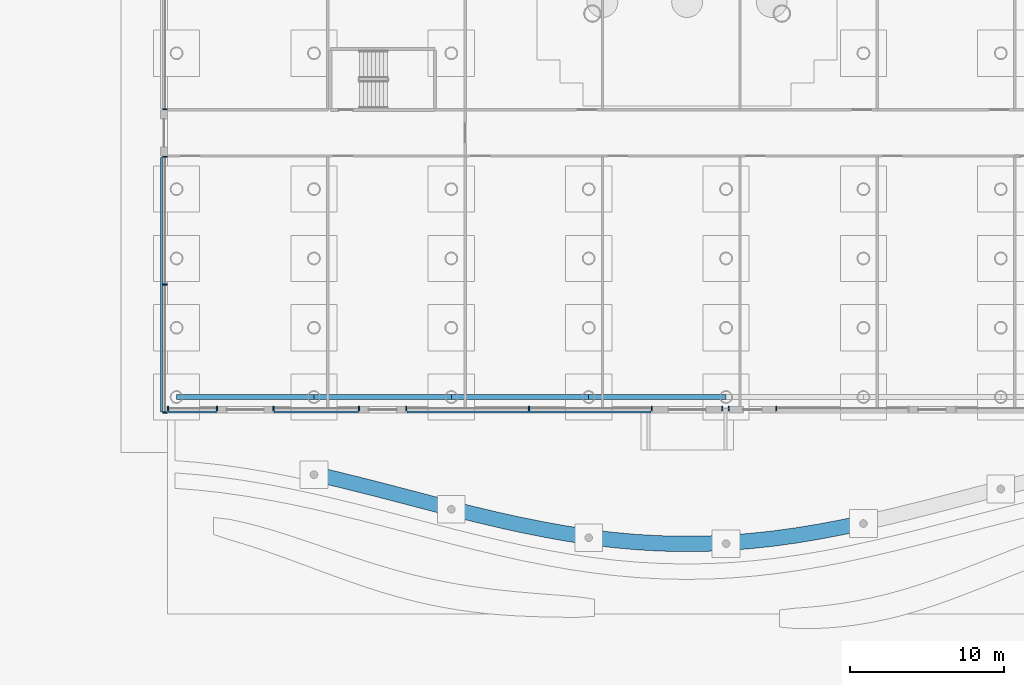
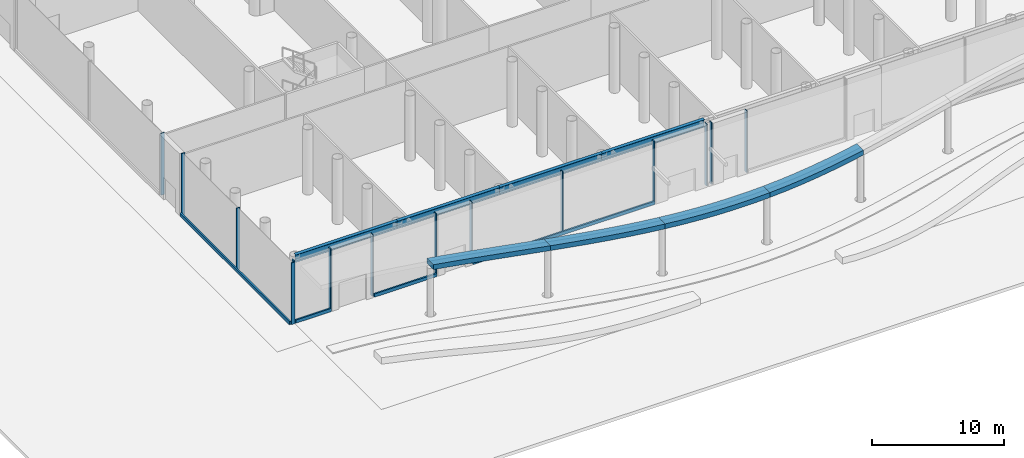
# One storey, part 6 of 75: 18 members, 8 beams, 7 elements without a shape of their own.
"""IFC4 building model written with IfcOpenShell, lengths in metres."""

from ifc_helpers import new_model, si_unit, direction, frame, origin, origin_2d, place, context, subcontext, project, spatial, polyline, rectangle, i_section, outline, extrude, material, layer, layer_set, material_profile, profile_set, type_object, element, aggregate, save


model = new_model("IFC4")

# Units and contexts
model_context = context("Model", 3, precision=1e-05, world=origin(), true_north=direction((0.0, 1.0)))
body_context = subcontext(model_context, "Body", "Model", "MODEL_VIEW")
ifc_project = project(units=[si_unit("LENGTHUNIT", "METRE"), si_unit("AREAUNIT", "SQUARE_METRE"), si_unit("VOLUMEUNIT", "CUBIC_METRE"), si_unit("PLANEANGLEUNIT", "RADIAN"), si_unit("MASSUNIT", "GRAM", prefix="KILO")], contexts=[model_context])

# Site, building, storey
site_placement = place(None, origin())
site = spatial("IfcSite", under=ifc_project, at=site_placement, CompositionType="ELEMENT")
building_placement = place(site_placement, origin())
building = spatial("IfcBuilding", under=site, at=building_placement, Name="Ipe Terrace Towers", CompositionType="ELEMENT")
storey_placement = place(building_placement, origin())
storey = spatial("IfcBuildingStorey", under=building, at=storey_placement, Name="L00", CompositionType="ELEMENT", Elevation=0.0)

# Beams
ifc_material_1 = material(Name="Steel S355", Category="steel")
ifc_material_profile_1 = material_profile(ifc_material_1, i_section(OverallWidth=0.300048828125, OverallDepth=0.699951171875, WebThickness=0.012939453125, FlangeThickness=0.02392578125, at=origin_2d()), Name="H-700x300x13x24")
ifc_profile_set_1 = profile_set([ifc_material_profile_1], Name="Steel S355")
beam_type_1 = type_object("IfcBeamType", Name="H13 DECK EDGE BEAM H-700x300x13x24", PredefinedType="BEAM", material=ifc_profile_set_1)
for number, where, z_axis, x_axis, name in (
    (1, (-69.14990234375, -42.14990234375, 5.22998046875), (1.0, 0.0, 0.0), (0.0, 1.0, 0.0), "Deck edge beam PD-TB-A01-A02"),
    (2, (-60.22998046875, -42.14990234375, 5.22998046875), (1.0, 0.0, 0.0), (0.0, 1.0, 0.0), "Deck edge beam PD-TB-A02-A03"),
):
    element("IfcBeam", number, at=place(storey_placement, frame(where, z_axis=z_axis, x_axis=x_axis)), inside=storey, type_object=beam_type_1, Name=name, PredefinedType="BEAM", context=body_context, shape_type="SweptSolid", body=[
        extrude(i_section(OverallWidth=0.300048828125, OverallDepth=0.699951171875, WebThickness=0.012939453125, FlangeThickness=0.02392578125, at=origin_2d()), origin(), (0.0, 0.0, 1.0), 8.919921875),
    ])
beam_1_placement = place(storey_placement, frame((-51.31005859375, -42.14990234375, 5.22998046875), z_axis=(1.0, 0.0, 0.0), x_axis=(0.0, 1.0, 0.0)))
element("IfcBeam", 3, at=beam_1_placement, inside=storey, type_object=beam_type_1, Name="Deck edge beam PD-TB-A03-A04", PredefinedType="BEAM", context=body_context, shape_type="SweptSolid", body=[
    extrude(i_section(OverallWidth=0.300048828125, OverallDepth=0.699951171875, WebThickness=0.012939453125, FlangeThickness=0.02392578125, at=origin_2d()), origin(), (0.0, 0.0, 1.0), 8.920166015625),
])
beam_2_placement = place(storey_placement, frame((-42.389892578125, -42.14990234375, 5.22998046875), z_axis=(1.0, 0.0, 0.0), x_axis=(0.0, 1.0, 0.0)))
element("IfcBeam", 4, at=beam_2_placement, inside=storey, type_object=beam_type_1, Name="Deck edge beam PD-TB-A04-A05", PredefinedType="BEAM", context=body_context, shape_type="SweptSolid", body=[
    extrude(i_section(OverallWidth=0.300048828125, OverallDepth=0.699951171875, WebThickness=0.012939453125, FlangeThickness=0.02392578125, at=origin_2d()), origin(), (0.0, 0.0, 1.0), 8.919921875),
])
ifc_material_2 = material(Name="Concrete C40/50", Category="concrete")
beam_type_2 = type_object("IfcBeamType", Name="MARQUISE EDGE BEAM C40/50 1000 x 450", PredefinedType="BEAM", material=ifc_material_2)
beam_3_placement = place(storey_placement, frame((0.0, 0.0, 4.35009765625)))
element("IfcBeam", 5, at=beam_3_placement, inside=storey, type_object=beam_type_2, Name="marquise edge beam", PredefinedType="BEAM", context=body_context, shape_type="SweptSolid", body=[
    extrude(outline(polyline([(-60.22998046875, -47.637939453125), (-60.22998046875, -46.637939453125), (-58.742919921875, -46.98291015625), (-57.257080078125, -47.34912109375), (-55.77001953125, -47.72802734375), (-54.282958984375, -48.115966796875), (-52.797119140625, -48.50390625), (-51.31005859375, -48.887939453125), (-51.31005859375, -49.887939453125), (-52.797119140625, -49.50390625), (-54.282958984375, -49.115966796875), (-55.77001953125, -48.72802734375), (-57.257080078125, -48.34912109375), (-58.742919921875, -47.98291015625), (-60.22998046875, -47.637939453125)])), origin(), (0.0, 0.0, 1.0), 0.449951171875),
])
beam_4_placement = place(storey_placement, frame((0.0, 0.0, 4.35009765625)))
element("IfcBeam", 6, at=beam_4_placement, inside=storey, type_object=beam_type_2, Name="marquise edge beam", PredefinedType="BEAM", context=body_context, shape_type="SweptSolid", body=[
    extrude(outline(polyline([(-51.31005859375, -49.887939453125), (-51.31005859375, -48.887939453125), (-49.822998046875, -49.259033203125), (-48.3369140625, -49.613037109375), (-46.85009765625, -49.943115234375), (-45.363037109375, -50.242919921875), (-43.876953125, -50.509033203125), (-42.389892578125, -50.736083984375), (-42.389892578125, -51.736083984375), (-43.876953125, -51.509033203125), (-45.363037109375, -51.242919921875), (-46.85009765625, -50.943115234375), (-48.3369140625, -50.613037109375), (-49.822998046875, -50.259033203125), (-51.31005859375, -49.887939453125)])), origin(), (0.0, 0.0, 1.0), 0.449951171875),
])
beam_5_placement = place(storey_placement, frame((0.0, 0.0, 4.35009765625)))
element("IfcBeam", 7, at=beam_5_placement, inside=storey, type_object=beam_type_2, Name="marquise edge beam", PredefinedType="BEAM", context=body_context, shape_type="SweptSolid", body=[
    extrude(outline(polyline([(-42.389892578125, -51.736083984375), (-42.389892578125, -50.736083984375), (-40.903076171875, -50.919921875), (-39.4169921875, -51.05810546875), (-37.929931640625, -51.14794921875), (-36.443115234375, -51.18798828125), (-34.95703125, -51.177978515625), (-33.469970703125, -51.116943359375), (-33.469970703125, -52.116943359375), (-34.95703125, -52.177978515625), (-36.443115234375, -52.18798828125), (-37.929931640625, -52.14794921875), (-39.4169921875, -52.05810546875), (-40.903076171875, -51.919921875), (-42.389892578125, -51.736083984375)])), origin(), (0.0, 0.0, 1.0), 0.449951171875),
])
beam_6_placement = place(storey_placement, frame((0.0, 0.0, 4.35009765625)))
element("IfcBeam", 8, at=beam_6_placement, inside=storey, type_object=beam_type_2, Name="marquise edge beam", PredefinedType="BEAM", context=body_context, shape_type="SweptSolid", body=[
    extrude(outline(polyline([(-33.469970703125, -52.116943359375), (-33.469970703125, -51.116943359375), (-31.98291015625, -51.008056640625), (-30.4970703125, -50.85107421875), (-29.010009765625, -50.64892578125), (-27.52294921875, -50.406005859375), (-26.037109375, -50.1259765625), (-24.550048828125, -49.81298828125), (-24.550048828125, -50.81298828125), (-26.037109375, -51.1259765625), (-27.52294921875, -51.406005859375), (-29.010009765625, -51.64892578125), (-30.4970703125, -51.85107421875), (-31.98291015625, -52.008056640625), (-33.469970703125, -52.116943359375)])), origin(), (0.0, 0.0, 1.0), 0.449951171875),
])

# Curtain wall, member
ifc_material_3 = material(Name="Aluminium alloy 6063-T6", Category="aluminium")
ifc_layer = layer(ifc_material_3, 0.43994140625)
ifc_layer_set = layer_set([ifc_layer], Name="PODIUM GLAZING CURTAIN WALL")
curtain_wall_type = type_object("IfcCurtainWallType", Name="PODIUM GLAZING CURTAIN WALL", PredefinedType="NOTDEFINED", material=ifc_layer_set)
curtain_wall_1_placement = place(storey_placement, origin())
curtain_wall_1 = element("IfcCurtainWall", 9, at=curtain_wall_1_placement, inside=storey, type_object=curtain_wall_type, Name="POD-CW-L00-02e curtain wall", PredefinedType="NOTDEFINED")
ifc_material_4 = material(Name="Aluminium alloy 6063-T6", Category="aluminium")
ifc_material_profile_2 = material_profile(ifc_material_4, rectangle(XDim=0.300048828125, YDim=0.080078125, at=origin_2d()), Name="PODIUM GLAZING MULLION 300 x 80")
ifc_profile_set_2 = profile_set([ifc_material_profile_2], Name="Aluminium alloy 6063-T6")
member_type_1 = type_object("IfcMemberType", Name="PODIUM GLAZING MULLION 300 x 80", PredefinedType="MULLION", material=ifc_profile_set_2)
member_1_placement = place(storey_placement, frame((-69.89990234375, -23.4599609375, 0.0), z_axis=(0.0, 0.0, 1.0), x_axis=(-1.0, 0.0, 0.0)))
member_1 = element("IfcMember", 10, at=member_1_placement, type_object=member_type_1, Name="POD-CW-L00-02e mullion 3", PredefinedType="MULLION", context=body_context, shape_type="SweptSolid", body=[
    extrude(rectangle(XDim=0.300048828125, YDim=0.080078125, at=origin_2d()), origin(), (0.0, 0.0, 1.0), 5.699951171875),
])
aggregate(curtain_wall_1, [member_1])

# Curtain wall, members
curtain_wall_2_placement = place(storey_placement, origin())
curtain_wall_2 = element("IfcCurtainWall", 11, at=curtain_wall_2_placement, inside=storey, type_object=curtain_wall_type, Name="POD-CW-L00-02g curtain wall", PredefinedType="NOTDEFINED")
member_2_placement = place(storey_placement, frame((-69.89990234375, -26.5400390625, 0.0), z_axis=(0.0, 0.0, 1.0), x_axis=(-1.0, 0.0, 0.0)))
member_2 = element("IfcMember", 12, at=member_2_placement, type_object=member_type_1, Name="POD-CW-L00-02g mullion 1", PredefinedType="MULLION", context=body_context, shape_type="SweptSolid", body=[
    extrude(rectangle(XDim=0.300048828125, YDim=0.080078125, at=origin_2d()), origin(), (0.0, 0.0, 1.0), 5.699951171875),
])
member_3_placement = place(storey_placement, frame((-69.89990234375, -34.844970703125, 0.0), z_axis=(0.0, 0.0, 1.0), x_axis=(-1.0, 0.0, 0.0)))
member_3 = element("IfcMember", 13, at=member_3_placement, type_object=member_type_1, Name="POD-CW-L00-02g mullion 2", PredefinedType="MULLION", context=body_context, shape_type="SweptSolid", body=[
    extrude(rectangle(XDim=0.300048828125, YDim=0.080078125, at=origin_2d()), origin(), (0.0, 0.0, 1.0), 5.699951171875),
])
member_4_placement = place(storey_placement, frame((-69.89990234375, -43.14990234375, 0.0), z_axis=(0.0, 0.0, 1.0), x_axis=(-1.0, 0.0, 0.0)))
member_4 = element("IfcMember", 14, at=member_4_placement, type_object=member_type_1, Name="POD-CW-L00-02g mullion 3", PredefinedType="MULLION", context=body_context, shape_type="SweptSolid", body=[
    extrude(rectangle(XDim=0.300048828125, YDim=0.080078125, at=origin_2d()), origin(), (0.0, 0.0, 1.0), 5.699951171875),
])

curtain_wall_3_placement = place(storey_placement, origin())
curtain_wall_3 = element("IfcCurtainWall", 15, at=curtain_wall_3_placement, inside=storey, type_object=curtain_wall_type, Name="POD-CW-L00-03a curtain wall", PredefinedType="NOTDEFINED")
member_5_placement = place(storey_placement, frame((-69.7099609375, -42.89990234375, 0.0), z_axis=(0.0, 0.0, 1.0), x_axis=(0.0, -1.0, 0.0)))
member_5 = element("IfcMember", 16, at=member_5_placement, type_object=member_type_1, Name="POD-CW-L00-03a mullion 1", PredefinedType="MULLION", context=body_context, shape_type="SweptSolid", body=[
    extrude(rectangle(XDim=0.300048828125, YDim=0.080078125, at=origin_2d()), origin(), (0.0, 0.0, 1.0), 5.699951171875),
])
member_6_placement = place(storey_placement, frame((-66.530029296875, -42.89990234375, 0.0), z_axis=(0.0, 0.0, 1.0), x_axis=(0.0, -1.0, 0.0)))
member_6 = element("IfcMember", 17, at=member_6_placement, type_object=member_type_1, Name="POD-CW-L00-03a mullion 2", PredefinedType="MULLION", context=body_context, shape_type="SweptSolid", body=[
    extrude(rectangle(XDim=0.300048828125, YDim=0.080078125, at=origin_2d()), origin(), (0.0, 0.0, 1.0), 5.699951171875),
])

curtain_wall_4_placement = place(storey_placement, origin())
curtain_wall_4 = element("IfcCurtainWall", 18, at=curtain_wall_4_placement, inside=storey, type_object=curtain_wall_type, Name="POD-CW-L00-03c curtain wall", PredefinedType="NOTDEFINED")
member_7_placement = place(storey_placement, frame((-62.85009765625, -42.89990234375, 0.0), z_axis=(0.0, 0.0, 1.0), x_axis=(0.0, -1.0, 0.0)))
member_7 = element("IfcMember", 19, at=member_7_placement, type_object=member_type_1, Name="POD-CW-L00-03c mullion 1", PredefinedType="MULLION", context=body_context, shape_type="SweptSolid", body=[
    extrude(rectangle(XDim=0.300048828125, YDim=0.080078125, at=origin_2d()), origin(), (0.0, 0.0, 1.0), 5.699951171875),
])
member_8_placement = place(storey_placement, frame((-57.31005859375, -42.89990234375, 0.0), z_axis=(0.0, 0.0, 1.0), x_axis=(0.0, -1.0, 0.0)))
member_8 = element("IfcMember", 20, at=member_8_placement, type_object=member_type_1, Name="POD-CW-L00-03c mullion 2", PredefinedType="MULLION", context=body_context, shape_type="SweptSolid", body=[
    extrude(rectangle(XDim=0.300048828125, YDim=0.080078125, at=origin_2d()), origin(), (0.0, 0.0, 1.0), 5.699951171875),
])

curtain_wall_5_placement = place(storey_placement, origin())
curtain_wall_5 = element("IfcCurtainWall", 21, at=curtain_wall_5_placement, inside=storey, type_object=curtain_wall_type, Name="POD-CW-L00-03e curtain wall", PredefinedType="NOTDEFINED")
member_9_placement = place(storey_placement, frame((-54.22998046875, -42.89990234375, 0.0), z_axis=(0.0, 0.0, 1.0), x_axis=(0.0, -1.0, 0.0)))
member_9 = element("IfcMember", 22, at=member_9_placement, type_object=member_type_1, Name="POD-CW-L00-03e mullion 1", PredefinedType="MULLION", context=body_context, shape_type="SweptSolid", body=[
    extrude(rectangle(XDim=0.300048828125, YDim=0.080078125, at=origin_2d()), origin(), (0.0, 0.0, 1.0), 5.699951171875),
])
member_10_placement = place(storey_placement, frame((-46.260009765625, -42.89990234375, 0.0), z_axis=(0.0, 0.0, 1.0), x_axis=(0.0, -1.0, 0.0)))
member_10 = element("IfcMember", 23, at=member_10_placement, type_object=member_type_1, Name="POD-CW-L00-03e mullion 2", PredefinedType="MULLION", context=body_context, shape_type="SweptSolid", body=[
    extrude(rectangle(XDim=0.300048828125, YDim=0.080078125, at=origin_2d()), origin(), (0.0, 0.0, 1.0), 5.699951171875),
])
member_11_placement = place(storey_placement, frame((-38.2900390625, -42.89990234375, 0.0), z_axis=(0.0, 0.0, 1.0), x_axis=(0.0, -1.0, 0.0)))
member_11 = element("IfcMember", 24, at=member_11_placement, type_object=member_type_1, Name="POD-CW-L00-03e mullion 3", PredefinedType="MULLION", context=body_context, shape_type="SweptSolid", body=[
    extrude(rectangle(XDim=0.300048828125, YDim=0.080078125, at=origin_2d()), origin(), (0.0, 0.0, 1.0), 5.699951171875),
])

curtain_wall_6_placement = place(storey_placement, origin())
curtain_wall_6 = element("IfcCurtainWall", 25, at=curtain_wall_6_placement, inside=storey, type_object=curtain_wall_type, Name="POD-CW-L00-03g curtain wall", PredefinedType="NOTDEFINED")
member_12_placement = place(storey_placement, frame((-33.7099609375, -42.89990234375, 0.0), z_axis=(0.0, 0.0, 1.0), x_axis=(0.0, -1.0, 0.0)))
member_12 = element("IfcMember", 26, at=member_12_placement, type_object=member_type_1, Name="POD-CW-L00-03g mullion 1", PredefinedType="MULLION", context=body_context, shape_type="SweptSolid", body=[
    extrude(rectangle(XDim=0.300048828125, YDim=0.080078125, at=origin_2d()), origin(), (0.0, 0.0, 1.0), 5.699951171875),
])
member_13_placement = place(storey_placement, frame((-33.2900390625, -42.89990234375, 0.0), z_axis=(0.0, 0.0, 1.0), x_axis=(0.0, -1.0, 0.0)))
member_13 = element("IfcMember", 27, at=member_13_placement, type_object=member_type_1, Name="POD-CW-L00-03g mullion 2", PredefinedType="MULLION", context=body_context, shape_type="SweptSolid", body=[
    extrude(rectangle(XDim=0.300048828125, YDim=0.080078125, at=origin_2d()), origin(), (0.0, 0.0, 1.0), 5.699951171875),
])
aggregate(curtain_wall_6, [member_12, member_13])

# Curtain wall, member
curtain_wall_7_placement = place(storey_placement, origin())
curtain_wall_7 = element("IfcCurtainWall", 28, at=curtain_wall_7_placement, inside=storey, type_object=curtain_wall_type, Name="POD-CW-L00-03i curtain wall", PredefinedType="NOTDEFINED")
member_14_placement = place(storey_placement, frame((-30.2099609375, -42.89990234375, 0.0), z_axis=(0.0, 0.0, 1.0), x_axis=(0.0, -1.0, 0.0)))
member_14 = element("IfcMember", 29, at=member_14_placement, type_object=member_type_1, Name="POD-CW-L00-03i mullion 1", PredefinedType="MULLION", context=body_context, shape_type="SweptSolid", body=[
    extrude(rectangle(XDim=0.300048828125, YDim=0.080078125, at=origin_2d()), origin(), (0.0, 0.0, 1.0), 5.699951171875),
])
aggregate(curtain_wall_7, [member_14])

# Member
ifc_material_5 = material(Name="Aluminium alloy 6063-T6", Category="aluminium")
ifc_material_profile_3 = material_profile(ifc_material_5, rectangle(XDim=0.139892578125, YDim=0.300048828125, at=origin_2d()), Name="PODIUM GLAZING TRANSOM 140 x 300")
ifc_profile_set_3 = profile_set([ifc_material_profile_3], Name="Aluminium alloy 6063-T6")
member_type_2 = type_object("IfcMemberType", Name="PODIUM GLAZING TRANSOM 140 x 300", PredefinedType="USERDEFINED", material=ifc_profile_set_3)
member_15_placement = place(storey_placement, frame((-70.1201171875, -26.580078125, 0.14990234375), z_axis=(0.0, -1.0, 0.0), x_axis=(-1.0, 0.0, 0.0)))
member_15 = element("IfcMember", 30, at=member_15_placement, type_object=member_type_2, Name="POD-CW-L00-02g transom", ObjectType="TRANSOM", PredefinedType="USERDEFINED", context=body_context, shape_type="SweptSolid", body=[
    extrude(rectangle(XDim=0.139892578125, YDim=0.300048828125, at=origin_2d()), origin(), (0.0, 0.0, 1.0), 16.530029296875),
])

aggregate(curtain_wall_2, [member_2, member_3, member_4, member_15])

member_16_placement = place(storey_placement, frame((-69.669921875, -43.1201171875, 0.14990234375), z_axis=(1.0, 0.0, 0.0), x_axis=(0.0, -1.0, 0.0)))
member_16 = element("IfcMember", 31, at=member_16_placement, type_object=member_type_2, Name="POD-CW-L00-03a transom", ObjectType="TRANSOM", PredefinedType="USERDEFINED", context=body_context, shape_type="SweptSolid", body=[
    extrude(rectangle(XDim=0.139892578125, YDim=0.300048828125, at=origin_2d()), origin(), (0.0, 0.0, 1.0), 3.099853515625),
])

aggregate(curtain_wall_3, [member_5, member_6, member_16])

member_17_placement = place(storey_placement, frame((-62.81005859375, -43.1201171875, 0.14990234375), z_axis=(1.0, 0.0, 0.0), x_axis=(0.0, -1.0, 0.0)))
member_17 = element("IfcMember", 32, at=member_17_placement, type_object=member_type_2, Name="POD-CW-L00-03c transom", ObjectType="TRANSOM", PredefinedType="USERDEFINED", context=body_context, shape_type="SweptSolid", body=[
    extrude(rectangle(XDim=0.139892578125, YDim=0.300048828125, at=origin_2d()), origin(), (0.0, 0.0, 1.0), 5.4599609375),
])

aggregate(curtain_wall_4, [member_7, member_8, member_17])

member_18_placement = place(storey_placement, frame((-54.18994140625, -43.1201171875, 0.14990234375), z_axis=(1.0, 0.0, 0.0), x_axis=(0.0, -1.0, 0.0)))
member_18 = element("IfcMember", 33, at=member_18_placement, type_object=member_type_2, Name="POD-CW-L00-03e transom", ObjectType="TRANSOM", PredefinedType="USERDEFINED", context=body_context, shape_type="SweptSolid", body=[
    extrude(rectangle(XDim=0.139892578125, YDim=0.300048828125, at=origin_2d()), origin(), (0.0, 0.0, 1.0), 15.85986328125),
])

aggregate(curtain_wall_5, [member_9, member_10, member_11, member_18])

save(model, "model.ifc")
